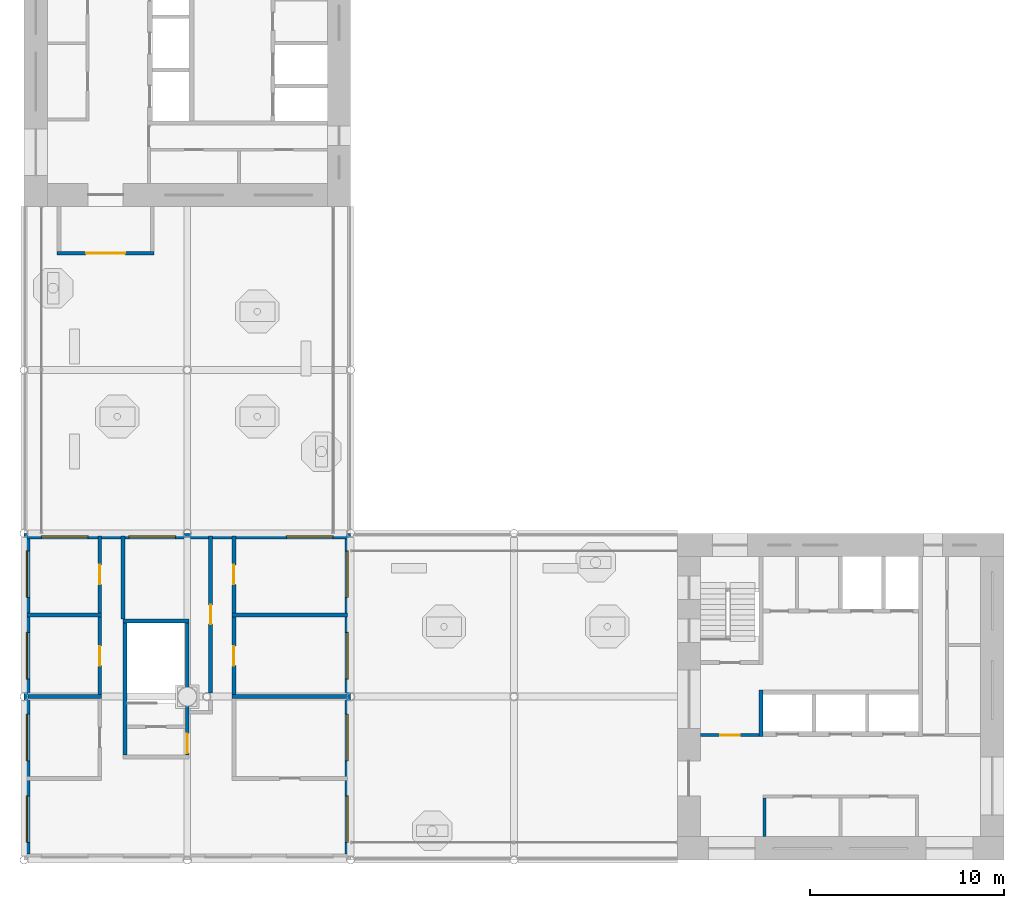
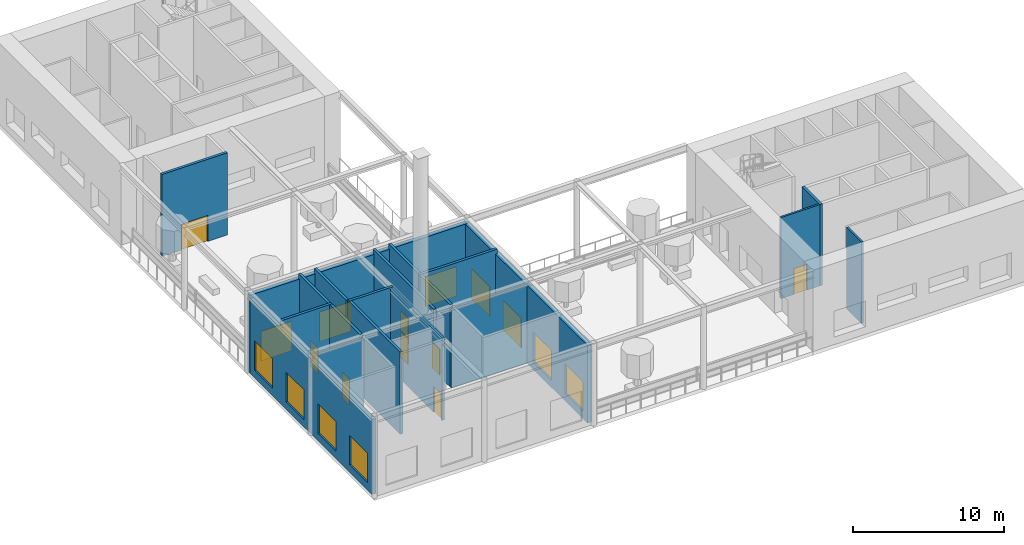
# One storey, part 8 of 15: 20 walls, 11 windows, 8 doors, 19 openings.
"""IFC4 building model written with IfcOpenShell, lengths in metres."""

import ifcopenshell
import ifcopenshell.guid

model = None  # the IFC model being written
_history = None  # IfcOwnerHistory: only IFC2X3 demands one
_inside = {}  # id of a spatial element -> (the spatial element, [elements in it])
_under = {}  # id of a project, library or spatial element -> (it, [spatial elements below it])
_declared = {}  # id of a project -> (the project, [libraries it declares])
_typed = {}  # id of a type object -> (the type object, [elements of that type])
_made_of = {}  # id of a material, layer set ... -> (it, [elements and type objects made of it])


def new_model(schema):
    """Start an empty IFC model of exactly this schema.

    Asked for "IFC4X3", IfcOpenShell would pick the latest addendum, in which some entities
    have other attributes; the version numbers below select the first issue.
    IFC2X3 requires an IfcOwnerHistory on every rooted entity: one is made here for all.
    """
    global model, _history
    if schema == "IFC4X3":
        model = ifcopenshell.file(schema_version=(4, 3, 0, 0))
    else:
        model = ifcopenshell.file(schema=schema)
    _inside.clear()
    _under.clear()
    _declared.clear()
    _typed.clear()
    _made_of.clear()
    _history = None
    if model.schema == "IFC2X3":
        org = make("IfcOrganization", Name="unknown")
        user = make(
            "IfcPersonAndOrganization",
            ThePerson=make("IfcPerson", FamilyName="unknown"),
            TheOrganization=org,
        )
        app = make(
            "IfcApplication",
            ApplicationDeveloper=org,
            Version="unknown",
            ApplicationFullName="unknown",
            ApplicationIdentifier="unknown",
        )
        _history = make(
            "IfcOwnerHistory",
            OwningUser=user,
            OwningApplication=app,
            ChangeAction="ADDED",
            CreationDate=0,
        )
    return model


def make(cls, **values):
    """One entity of the class cls with the attributes given. An attribute that is None is left unset."""
    return model.create_entity(
        cls, **{name: value for name, value in values.items() if value is not None}
    )


def rooted(cls, **values):
    """An entity with a GlobalId (a new one), such as an element, a storey or a relation."""
    return make(cls, GlobalId=ifcopenshell.guid.new(), OwnerHistory=_history, **values)


def si_unit(unit_type, name, prefix=None):
    """IfcSIUnit, for example si_unit("LENGTHUNIT", "METRE", prefix="MILLI")."""
    return make("IfcSIUnit", UnitType=unit_type, Prefix=prefix, Name=name)


def assignment(units):
    """IfcUnitAssignment: the units of a project."""
    return None if units is None else make("IfcUnitAssignment", Units=units)


def point(xyz):
    """IfcCartesianPoint."""
    return None if xyz is None else make("IfcCartesianPoint", Coordinates=xyz)


def direction(xyz):
    """IfcDirection."""
    return None if xyz is None else make("IfcDirection", DirectionRatios=xyz)


def frame(location, z_axis=None, x_axis=None):
    """IfcAxis2Placement3D, a coordinate frame: its origin and axes. An axis left out is left unset."""
    return make(
        "IfcAxis2Placement3D",
        Location=point(location),
        Axis=direction(z_axis),
        RefDirection=direction(x_axis),
    )


def frame_2d(location, x_axis=None):
    """IfcAxis2Placement2D, a coordinate frame in the plane: its origin and x axis."""
    return make(
        "IfcAxis2Placement2D", Location=point(location), RefDirection=direction(x_axis)
    )


def origin():
    """The frame at (0, 0, 0) with its axes left unset."""
    return frame((0.0, 0.0, 0.0))


def place(relative_to, where):
    """IfcLocalPlacement: puts the frame where relative to a parent placement (None: the world)."""
    return make(
        "IfcLocalPlacement", PlacementRelTo=relative_to, RelativePlacement=where
    )


def context(
    kind, dimensions, precision=None, world=None, true_north=None, identifier=None
):
    """IfcGeometricRepresentationContext, for example the 3D "Model" context."""
    return make(
        "IfcGeometricRepresentationContext",
        ContextIdentifier=identifier,
        ContextType=kind,
        CoordinateSpaceDimension=dimensions,
        Precision=precision,
        WorldCoordinateSystem=world,
        TrueNorth=true_north,
    )


def subcontext(parent, identifier, kind, view, scale=None):
    """IfcGeometricRepresentationSubContext, for example "Body" below "Model"."""
    return make(
        "IfcGeometricRepresentationSubContext",
        ContextIdentifier=identifier,
        ContextType=kind,
        ParentContext=parent,
        TargetScale=scale,
        TargetView=view,
    )


def project(units=None, contexts=None):
    """IfcProject with its units and contexts."""
    return rooted(
        "IfcProject",
        Name="project",
        RepresentationContexts=contexts,
        UnitsInContext=assignment(units),
    )


def spatial(cls, under=None, at=None, **own):
    """A site, building, storey or space (cls), placed at a placement, below another one or the project."""
    s = rooted(cls, ObjectPlacement=at, **own)
    if under is not None:
        _under.setdefault(under.id(), (under, []))[1].append(s)
    return s


def profile(cls, at=None, kind="AREA", **sizes):
    """A parametric profile (cls). Its sizes go by their IFC names, for example OverallWidth=200.0."""
    return make(cls, ProfileType=kind, Position=at, **sizes)


def rectangle(**sizes):
    """IfcRectangleProfileDef."""
    return profile("IfcRectangleProfileDef", **sizes)


def extrude(swept, where, along, depth):
    """IfcExtrudedAreaSolid: the profile swept, set in the frame where, extruded along a direction by depth."""
    return make(
        "IfcExtrudedAreaSolid",
        SweptArea=swept,
        Position=where,
        ExtrudedDirection=direction(along),
        Depth=depth,
    )


def shape(context_of_items, identifier, shape_type, items):
    """IfcShapeRepresentation: the items that make up one representation, for example the "Body"."""
    return make(
        "IfcShapeRepresentation",
        ContextOfItems=context_of_items,
        RepresentationIdentifier=identifier,
        RepresentationType=shape_type,
        Items=items,
    )


def material(Name=None, Category=None):
    """IfcMaterial."""
    return make("IfcMaterial", Name=Name, Category=Category)


def layer(
    of_material, thickness, ventilated=None, Name=None, Category=None, Priority=None
):
    """IfcMaterialLayer: one layer of a wall or slab, of a material (None: an air gap)."""
    return make(
        "IfcMaterialLayer",
        Material=of_material,
        LayerThickness=thickness,
        IsVentilated=ventilated,
        Name=Name,
        Category=Category,
        Priority=Priority,
    )


def layer_set(layers, Name=None):
    """IfcMaterialLayerSet."""
    return make("IfcMaterialLayerSet", MaterialLayers=layers, LayerSetName=Name)


def made_of(thing, what):
    """Note that an element or type object is made of a material, layer set ...; save() writes the relation."""
    if what is not None:
        _made_of.setdefault(what.id(), (what, []))[1].append(thing)
    return thing


def type_object(cls, material=None, **own):
    """A type object (cls), such as IfcWallType, which elements share."""
    return made_of(rooted(cls, **own), material)


def element(
    cls,
    number,
    at=None,
    inside=None,
    cuts=None,
    type_object=None,
    material=None,
    context=None,
    identifier="Body",
    shape_type=None,
    held_by="IfcProductDefinitionShape",
    body=None,
    shapes=None,
    **own,
):
    """One element of the class cls, such as IfcWall. Its Tag is "e" and its number.

    at: its placement. inside: the storey or other place that contains it. cuts: it is an
    opening in that element (IfcRelVoidsElement). A single representation is given by context,
    identifier, shape_type and body (its items); several are given by shapes. held_by: the class
    of the entity that holds the representations. save() writes the other relations.
    """
    e = rooted(cls, Tag="e%d" % number, ObjectPlacement=at, **own)
    if body is not None:
        shapes = [shape(context, identifier, shape_type, body)]
    if shapes is not None:
        e.Representation = make(held_by, Representations=shapes)
    if inside is not None:
        _inside.setdefault(inside.id(), (inside, []))[1].append(e)
    if cuts is not None:
        rooted(
            "IfcRelVoidsElement", RelatingBuildingElement=cuts, RelatedOpeningElement=e
        )
    if type_object is not None:
        _typed.setdefault(type_object.id(), (type_object, []))[1].append(e)
    return made_of(e, material)


def fill(opening, filler):
    """IfcRelFillsElement: the door or window that sits in an opening."""
    return rooted(
        "IfcRelFillsElement",
        RelatingOpeningElement=opening,
        RelatedBuildingElement=filler,
    )


def aggregate(whole, parts):
    """IfcRelAggregates: a whole, such as a stair, and the parts it consists of."""
    return rooted("IfcRelAggregates", RelatingObject=whole, RelatedObjects=parts)


def save(model, path):
    """Write the relations noted so far, then the file.

    IfcRelAggregates (storeys below a building ...), IfcRelContainedInSpatialStructure (elements
    in a storey), IfcRelDefinesByType, IfcRelAssociatesMaterial and IfcRelDeclares: one each for
    every whole, place, type object, material and project.
    """
    for whole, parts in _under.values():
        aggregate(whole, parts)
    for where, things in _inside.values():
        rooted(
            "IfcRelContainedInSpatialStructure",
            RelatedElements=things,
            RelatingStructure=where,
        )
    for kind, things in _typed.values():
        rooted("IfcRelDefinesByType", RelatedObjects=things, RelatingType=kind)
    for what, things in _made_of.values():
        rooted("IfcRelAssociatesMaterial", RelatedObjects=things, RelatingMaterial=what)
    for by, libraries in _declared.values():
        rooted("IfcRelDeclares", RelatingContext=by, RelatedDefinitions=libraries)
    model.write(path)


model = new_model("IFC4")

# Units and contexts
model_context = context("Model", 3, precision=1e-05, world=origin(), true_north=direction((0.0, 1.0)))
body_context = subcontext(model_context, "Body", "Model", "MODEL_VIEW")
ifc_project = project(units=[si_unit("LENGTHUNIT", "METRE"), si_unit("AREAUNIT", "SQUARE_METRE"), si_unit("VOLUMEUNIT", "CUBIC_METRE"), si_unit("PLANEANGLEUNIT", "RADIAN"), si_unit("MASSUNIT", "GRAM", prefix="KILO")], contexts=[model_context])

# Site, building, storey
site_placement = place(None, origin())
site = spatial("IfcSite", under=ifc_project, at=site_placement, CompositionType="ELEMENT")
building_placement = place(site_placement, origin())
building = spatial("IfcBuilding", under=site, at=building_placement, Name="Vermilion Gate Residences", CompositionType="ELEMENT")
storey_placement = place(building_placement, frame((0.0, 0.0, 277.199951171875)))
storey = spatial("IfcBuildingStorey", under=building, at=storey_placement, Name="L73", CompositionType="ELEMENT", Elevation=277.199951171875)

# Wall
ifc_material_1 = material(Name="Masonry blockwork", Category="masonry")
ifc_layer_1 = layer(ifc_material_1, 0.14990234375)
ifc_layer_set_1 = layer_set([ifc_layer_1], Name="BLOCKWORK PARTITION 150 EI 120")
wall_type_1 = type_object("IfcWallType", Name="BLOCKWORK PARTITION 150 EI 120", PredefinedType="PARTITIONING", material=ifc_layer_set_1)
wall_1_placement = place(storey_placement, frame((46.47509765625, 9.60009765625, 0.0), z_axis=(0.0, 0.0, 1.0), x_axis=(0.0, 1.0, 0.0)))
element("IfcWall", 1, at=wall_1_placement, inside=storey, type_object=wall_type_1, Name="Core room partition A73-RW-W", PredefinedType="PARTITIONING", context=body_context, shape_type="SweptSolid", body=[
    extrude(rectangle(XDim=2.0, YDim=0.14990234375, at=frame_2d((1.0, 0.0))), origin(), (0.0, 0.0, 1.0), 6.580078125),
])

# Wall, opening, door
wall_2_placement = place(storey_placement, frame((43.199951171875, 14.824951171875, 0.0), z_axis=(0.0, 0.0, 1.0), x_axis=(1.0, 0.0, 0.0)))
wall_2 = element("IfcWall", 2, at=wall_2_placement, inside=storey, type_object=wall_type_1, Name="Core room partition A73-VW-S", PredefinedType="PARTITIONING", context=body_context, shape_type="SweptSolid", body=[
    extrude(rectangle(XDim=3.0, YDim=0.14990234375, at=frame_2d((1.5, 0.0))), origin(), (0.0, 0.0, 1.0), 6.580078125),
])
opening_1_placement = place(wall_2_placement, frame((1.0, 0.0, 0.0)))
opening_1 = element("IfcOpeningElement", 3, at=opening_1_placement, cuts=wall_2, Name="Opening DK73011", PredefinedType="OPENING", context=body_context, shape_type="SweptSolid", body=[
    extrude(rectangle(XDim=1.0, YDim=2.10009765625, at=frame_2d((0.5, 1.050048828125))), frame((0.0, 0.0849609375, 0.0), z_axis=(0.0, -1.0, 0.0), x_axis=(1.0, 0.0, 0.0)), (0.0, 0.0, 1.0), 0.169921875),
])
ifc_material_2 = material(Name="Steel", Category="steel")
door_type_1 = type_object("IfcDoorType", Name="FIRE DOOR FD60 1000 X 2100", OperationType="SINGLE_SWING_LEFT", PredefinedType="DOOR", material=ifc_material_2)
door_1_placement = place(opening_1_placement, frame((1.0, 0.0, 0.0), z_axis=(0.0, 0.0, 1.0), x_axis=(-1.0, 0.0, 0.0)))
door_1 = element("IfcDoor", 4, at=door_1_placement, inside=storey, type_object=door_type_1, Name="Stair vestibule door A73", OperationType="SINGLE_SWING_RIGHT", OverallHeight=2.10009765625, OverallWidth=1.0, PredefinedType="DOOR", context=body_context, shape_type="SweptSolid", body=[
    extrude(rectangle(XDim=1.0, YDim=2.10009765625, at=frame_2d((0.5, 1.050048828125))), frame((0.0, 0.02490234375, 0.0), z_axis=(0.0, -1.0, 0.0), x_axis=(1.0, 0.0, 0.0)), (0.0, 0.0, 1.0), 0.050048828125),
])
fill(opening_1, door_1)

# Walls
ifc_material_3 = material(Name="Concrete blockwork", Category="masonry")
ifc_layer_2 = layer(ifc_material_3, 0.199951171875)
ifc_layer_set_2 = layer_set([ifc_layer_2], Name="FIRE WALL 200 EI 120 (AMENITY)")
wall_type_2 = type_object("IfcWallType", Name="FIRE WALL 200 EI 120 (AMENITY)", PredefinedType="PARTITIONING", material=ifc_layer_set_2)
wall_3_placement = place(storey_placement, frame((8.60009765625, 16.800048828125, 0.0), z_axis=(0.0, 0.0, 1.0), x_axis=(1.0, 0.0, 0.0)))
element("IfcWall", 5, at=wall_3_placement, inside=storey, type_object=wall_type_2, Name="Fire-resisting wall 2", PredefinedType="PARTITIONING", context=body_context, shape_type="SweptSolid", body=[
    extrude(rectangle(XDim=3.7998046875, YDim=0.199951171875, at=frame_2d((1.89990234375, 0.0))), origin(), (0.0, 0.0, 1.0), 6.300048828125),
])
wall_4_placement = place(storey_placement, frame((8.550048828125, 21.0, 0.0), z_axis=(0.0, 0.0, 1.0), x_axis=(1.0, 0.0, 0.0)))
element("IfcWall", 6, at=wall_4_placement, inside=storey, type_object=wall_type_2, Name="Fire-resisting wall 3", PredefinedType="PARTITIONING", context=body_context, shape_type="SweptSolid", body=[
    extrude(rectangle(XDim=3.849853515625, YDim=0.199951171875, at=frame_2d((1.9248046875, 0.0))), origin(), (0.0, 0.0, 1.0), 6.650146484375),
])

# Wall, opening, door
wall_5_placement = place(storey_placement, frame((10.10009765625, 39.60009765625, 0.0), z_axis=(0.0, 0.0, 1.0), x_axis=(1.0, 0.0, 0.0)))
wall_5 = element("IfcWall", 7, at=wall_5_placement, inside=storey, type_object=wall_type_2, Name="Fire-resisting wall 5", PredefinedType="PARTITIONING", context=body_context, shape_type="SweptSolid", body=[
    extrude(rectangle(XDim=5.0, YDim=0.199951171875, at=frame_2d((2.5, 0.0))), origin(), (0.0, 0.0, 1.0), 6.650146484375),
])
opening_2_placement = place(wall_5_placement, frame((1.5, 0.0, 0.0)))
opening_2 = element("IfcOpeningElement", 8, at=opening_2_placement, cuts=wall_5, Name="Opening DM73008", PredefinedType="OPENING", context=body_context, shape_type="SweptSolid", body=[
    extrude(rectangle(XDim=2.0, YDim=2.10009765625, at=frame_2d((1.0, 1.050048828125))), frame((0.0, 0.10986328125, 0.0), z_axis=(0.0, -1.0, 0.0), x_axis=(1.0, 0.0, 0.0)), (0.0, 0.0, 1.0), 0.219970703125),
])
ifc_material_4 = material(Name="Steel", Category="steel")
door_type_2 = type_object("IfcDoorType", Name="DOUBLE DOOR 2000 X 2100 FD60 (AMENITY)", OperationType="DOUBLE_DOOR_SINGLE_SWING", PredefinedType="DOOR", material=ifc_material_4)
door_2_placement = place(opening_2_placement, frame((2.0, 0.0, 0.0), z_axis=(0.0, 0.0, 1.0), x_axis=(-1.0, 0.0, 0.0)))
door_2 = element("IfcDoor", 9, at=door_2_placement, inside=storey, type_object=door_type_2, Name="Door L73 8", OperationType="DOUBLE_DOOR_SINGLE_SWING", OverallHeight=2.10009765625, OverallWidth=2.0, PredefinedType="DOOR", context=body_context, shape_type="SweptSolid", body=[
    extrude(rectangle(XDim=2.0, YDim=2.10009765625, at=frame_2d((1.0, 1.050048828125))), frame((0.0, 0.02490234375, 0.0), z_axis=(0.0, -1.0, 0.0), x_axis=(1.0, 0.0, 0.0)), (0.0, 0.0, 1.0), 0.050048828125),
])
fill(opening_2, door_2)

wall_6_placement = place(storey_placement, frame((12.300048828125, 16.89990234375, 0.0), z_axis=(0.0, 0.0, 1.0), x_axis=(0.0, 1.0, 0.0)))
wall_6 = element("IfcWall", 10, at=wall_6_placement, inside=storey, type_object=wall_type_2, Name="Fire-resisting wall 7", PredefinedType="PARTITIONING", context=body_context, shape_type="SweptSolid", body=[
    extrude(rectangle(XDim=4.0, YDim=0.199951171875, at=frame_2d((2.0, 0.0))), origin(), (0.0, 0.0, 1.0), 6.650146484375),
])
opening_3_placement = place(wall_6_placement, frame((1.5, 0.0, 0.0)))
opening_3 = element("IfcOpeningElement", 11, at=opening_3_placement, cuts=wall_6, Name="Opening DM73002", PredefinedType="OPENING", context=body_context, shape_type="SweptSolid", body=[
    extrude(rectangle(XDim=1.0, YDim=2.10009765625, at=frame_2d((0.5, 1.050048828125))), frame((0.0, 0.10986328125, 0.0), z_axis=(0.0, -1.0, 0.0), x_axis=(1.0, 0.0, 0.0)), (0.0, 0.0, 1.0), 0.219970703125),
])
ifc_material_5 = material(Name="Steel", Category="steel")
door_type_3 = type_object("IfcDoorType", Name="DOOR 1000 X 2100 FD60 (AMENITY)", OperationType="SINGLE_SWING_LEFT", PredefinedType="DOOR", material=ifc_material_5)
door_3_placement = place(opening_3_placement, origin())
door_3 = element("IfcDoor", 12, at=door_3_placement, inside=storey, type_object=door_type_3, Name="Door L73 2", OperationType="SINGLE_SWING_LEFT", OverallHeight=2.10009765625, OverallWidth=1.0, PredefinedType="DOOR", context=body_context, shape_type="SweptSolid", body=[
    extrude(rectangle(XDim=1.0, YDim=2.10009765625, at=frame_2d((0.5, 1.050048828125))), frame((0.0, 0.02490234375, 0.0), z_axis=(0.0, -1.0, 0.0), x_axis=(1.0, 0.0, 0.0)), (0.0, 0.0, 1.0), 0.050048828125),
])
fill(opening_3, door_3)

wall_7_placement = place(storey_placement, frame((12.300048828125, 21.10009765625, 0.0), z_axis=(0.0, 0.0, 1.0), x_axis=(0.0, 1.0, 0.0)))
wall_7 = element("IfcWall", 13, at=wall_7_placement, inside=storey, type_object=wall_type_2, Name="Fire-resisting wall 8", PredefinedType="PARTITIONING", context=body_context, shape_type="SweptSolid", body=[
    extrude(rectangle(XDim=3.949951171875, YDim=0.199951171875, at=frame_2d((1.97509765625, 0.0))), origin(), (0.0, 0.0, 1.0), 6.650146484375),
])
opening_4_placement = place(wall_7_placement, frame((1.47509765625, 0.0, 0.0)))
opening_4 = element("IfcOpeningElement", 14, at=opening_4_placement, cuts=wall_7, Name="Opening DM73003", PredefinedType="OPENING", context=body_context, shape_type="SweptSolid", body=[
    extrude(rectangle(XDim=1.0, YDim=2.10009765625, at=frame_2d((0.5, 1.050048828125))), frame((0.0, 0.10986328125, 0.0), z_axis=(0.0, -1.0, 0.0), x_axis=(1.0, 0.0, 0.0)), (0.0, 0.0, 1.0), 0.219970703125),
])
door_4_placement = place(opening_4_placement, origin())
door_4 = element("IfcDoor", 15, at=door_4_placement, inside=storey, type_object=door_type_3, Name="Door L73 3", OperationType="SINGLE_SWING_RIGHT", OverallHeight=2.10009765625, OverallWidth=1.0, PredefinedType="DOOR", context=body_context, shape_type="SweptSolid", body=[
    extrude(rectangle(XDim=1.0, YDim=2.10009765625, at=frame_2d((0.5, 1.050048828125))), frame((0.0, 0.02490234375, 0.0), z_axis=(0.0, -1.0, 0.0), x_axis=(1.0, 0.0, 0.0)), (0.0, 0.0, 1.0), 0.050048828125),
])
fill(opening_4, door_4)

# Wall
wall_8_placement = place(storey_placement, frame((13.5, 20.800048828125, 0.0), z_axis=(0.0, 0.0, 1.0), x_axis=(0.0, 1.0, 0.0)))
element("IfcWall", 16, at=wall_8_placement, inside=storey, type_object=wall_type_2, Name="Fire-resisting wall 9", PredefinedType="PARTITIONING", context=body_context, shape_type="SweptSolid", body=[
    extrude(rectangle(XDim=4.25, YDim=0.199951171875, at=frame_2d((2.125, 0.0))), origin(), (0.0, 0.0, 1.0), 6.650146484375),
])

# Wall, opening, door
wall_9_placement = place(storey_placement, frame((18.0, 17.0, 0.0), z_axis=(0.0, 0.0, 1.0), x_axis=(0.0, 1.0, 0.0)))
wall_9 = element("IfcWall", 17, at=wall_9_placement, inside=storey, type_object=wall_type_2, Name="Fire-resisting wall 13", PredefinedType="PARTITIONING", context=body_context, shape_type="SweptSolid", body=[
    extrude(rectangle(XDim=8.050048828125, YDim=0.199951171875, at=frame_2d((4.02490234375, 0.0))), origin(), (0.0, 0.0, 1.0), 6.650146484375),
])
opening_5_placement = place(wall_9_placement, frame((3.52490234375, 0.0, 0.0)))
opening_5 = element("IfcOpeningElement", 18, at=opening_5_placement, cuts=wall_9, Name="Opening DM73007", PredefinedType="OPENING", context=body_context, shape_type="SweptSolid", body=[
    extrude(rectangle(XDim=1.0, YDim=2.10009765625, at=frame_2d((0.5, 1.050048828125))), frame((0.0, 0.10986328125, 0.0), z_axis=(0.0, -1.0, 0.0), x_axis=(1.0, 0.0, 0.0)), (0.0, 0.0, 1.0), 0.219970703125),
])
door_5_placement = place(opening_5_placement, origin())
door_5 = element("IfcDoor", 19, at=door_5_placement, inside=storey, type_object=door_type_3, Name="Door L73 7", OperationType="SINGLE_SWING_LEFT", OverallHeight=2.10009765625, OverallWidth=1.0, PredefinedType="DOOR", context=body_context, shape_type="SweptSolid", body=[
    extrude(rectangle(XDim=1.0, YDim=2.10009765625, at=frame_2d((0.5, 1.050048828125))), frame((0.0, 0.02490234375, 0.0), z_axis=(0.0, -1.0, 0.0), x_axis=(1.0, 0.0, 0.0)), (0.0, 0.0, 1.0), 0.050048828125),
])
fill(opening_5, door_5)

wall_10_placement = place(storey_placement, frame((19.199951171875, 16.89990234375, 0.0), z_axis=(0.0, 0.0, 1.0), x_axis=(0.0, 1.0, 0.0)))
wall_10 = element("IfcWall", 20, at=wall_10_placement, inside=storey, type_object=wall_type_2, Name="Fire-resisting wall 16", PredefinedType="PARTITIONING", context=body_context, shape_type="SweptSolid", body=[
    extrude(rectangle(XDim=4.0, YDim=0.199951171875, at=frame_2d((2.0, 0.0))), origin(), (0.0, 0.0, 1.0), 6.650146484375),
])
opening_6_placement = place(wall_10_placement, frame((1.5, 0.0, 0.0)))
opening_6 = element("IfcOpeningElement", 21, at=opening_6_placement, cuts=wall_10, Name="Opening DM73005", PredefinedType="OPENING", context=body_context, shape_type="SweptSolid", body=[
    extrude(rectangle(XDim=1.0, YDim=2.10009765625, at=frame_2d((0.5, 1.050048828125))), frame((0.0, 0.10986328125, 0.0), z_axis=(0.0, -1.0, 0.0), x_axis=(1.0, 0.0, 0.0)), (0.0, 0.0, 1.0), 0.219970703125),
])
door_6_placement = place(opening_6_placement, frame((1.0, 0.0, 0.0), z_axis=(0.0, 0.0, 1.0), x_axis=(-1.0, 0.0, 0.0)))
door_6 = element("IfcDoor", 22, at=door_6_placement, inside=storey, type_object=door_type_3, Name="Door L73 5", OperationType="SINGLE_SWING_RIGHT", OverallHeight=2.10009765625, OverallWidth=1.0, PredefinedType="DOOR", context=body_context, shape_type="SweptSolid", body=[
    extrude(rectangle(XDim=1.0, YDim=2.10009765625, at=frame_2d((0.5, 1.050048828125))), frame((0.0, 0.02490234375, 0.0), z_axis=(0.0, -1.0, 0.0), x_axis=(1.0, 0.0, 0.0)), (0.0, 0.0, 1.0), 0.050048828125),
])
fill(opening_6, door_6)

# Wall
wall_11_placement = place(storey_placement, frame((19.10009765625, 16.800048828125, 0.0), z_axis=(0.0, 0.0, 1.0), x_axis=(1.0, 0.0, 0.0)))
element("IfcWall", 23, at=wall_11_placement, inside=storey, type_object=wall_type_2, Name="Fire-resisting wall 17", PredefinedType="PARTITIONING", context=body_context, shape_type="SweptSolid", body=[
    extrude(rectangle(XDim=5.89990234375, YDim=0.199951171875, at=frame_2d((2.949951171875, 0.0))), origin(), (0.0, 0.0, 1.0), 6.300048828125),
])

# Wall, opening, door
wall_12_placement = place(storey_placement, frame((19.199951171875, 21.10009765625, 0.0), z_axis=(0.0, 0.0, 1.0), x_axis=(0.0, 1.0, 0.0)))
wall_12 = element("IfcWall", 24, at=wall_12_placement, inside=storey, type_object=wall_type_2, Name="Fire-resisting wall 18", PredefinedType="PARTITIONING", context=body_context, shape_type="SweptSolid", body=[
    extrude(rectangle(XDim=3.949951171875, YDim=0.199951171875, at=frame_2d((1.97509765625, 0.0))), origin(), (0.0, 0.0, 1.0), 6.650146484375),
])
opening_7_placement = place(wall_12_placement, frame((1.47509765625, 0.0, 0.0)))
opening_7 = element("IfcOpeningElement", 25, at=opening_7_placement, cuts=wall_12, Name="Opening DM73006", PredefinedType="OPENING", context=body_context, shape_type="SweptSolid", body=[
    extrude(rectangle(XDim=1.0, YDim=2.10009765625, at=frame_2d((0.5, 1.050048828125))), frame((0.0, 0.10986328125, 0.0), z_axis=(0.0, -1.0, 0.0), x_axis=(1.0, 0.0, 0.0)), (0.0, 0.0, 1.0), 0.219970703125),
])
door_7_placement = place(opening_7_placement, frame((1.0, 0.0, 0.0), z_axis=(0.0, 0.0, 1.0), x_axis=(-1.0, 0.0, 0.0)))
door_7 = element("IfcDoor", 26, at=door_7_placement, inside=storey, type_object=door_type_3, Name="Door L73 6", OperationType="SINGLE_SWING_LEFT", OverallHeight=2.10009765625, OverallWidth=1.0, PredefinedType="DOOR", context=body_context, shape_type="SweptSolid", body=[
    extrude(rectangle(XDim=1.0, YDim=2.10009765625, at=frame_2d((0.5, 1.050048828125))), frame((0.0, 0.02490234375, 0.0), z_axis=(0.0, -1.0, 0.0), x_axis=(1.0, 0.0, 0.0)), (0.0, 0.0, 1.0), 0.050048828125),
])
fill(opening_7, door_7)

# Wall
wall_13_placement = place(storey_placement, frame((19.10009765625, 21.0, 0.0), z_axis=(0.0, 0.0, 1.0), x_axis=(1.0, 0.0, 0.0)))
element("IfcWall", 27, at=wall_13_placement, inside=storey, type_object=wall_type_2, Name="Fire-resisting wall 19", PredefinedType="PARTITIONING", context=body_context, shape_type="SweptSolid", body=[
    extrude(rectangle(XDim=5.949951171875, YDim=0.199951171875, at=frame_2d((2.97509765625, 0.0))), origin(), (0.0, 0.0, 1.0), 6.650146484375),
])

# Wall, openings, windows
ifc_material_6 = material(Name="Insulated steel stud wall with terracotta cladding", Category="masonry")
ifc_layer_3 = layer(ifc_material_6, 0.300048828125)
ifc_layer_set_3 = layer_set([ifc_layer_3], Name="PLANT BLOCK WALL 300 TERRACOTTA CLADDING")
wall_type_3 = type_object("IfcWallType", Name="PLANT BLOCK WALL 300 TERRACOTTA CLADDING", PredefinedType="SOLIDWALL", material=ifc_layer_set_3)
wall_14_placement = place(storey_placement, frame((25.050048828125, 8.699951171875, 0.0), z_axis=(0.0, 0.0, 1.0), x_axis=(0.0, 1.0, 0.0)))
wall_14 = element("IfcWall", 28, at=wall_14_placement, inside=storey, type_object=wall_type_3, Name="Plant block wall", PredefinedType="SOLIDWALL", context=body_context, shape_type="SweptSolid", body=[
    extrude(rectangle(XDim=16.199951171875, YDim=0.300048828125, at=frame_2d((8.10009765625, 0.0))), origin(), (0.0, 0.0, 1.0), 6.300048828125),
])
opening_8_placement = place(wall_14_placement, frame((0.60009765625, 0.0, 0.60009765625)))
opening_8 = element("IfcOpeningElement", 29, at=opening_8_placement, cuts=wall_14, Name="Opening WE73001", PredefinedType="OPENING", context=body_context, shape_type="SweptSolid", body=[
    extrude(rectangle(XDim=2.39990234375, YDim=2.39990234375, at=frame_2d((1.199951171875, 1.199951171875))), frame((0.0, 0.159912109375, 0.0), z_axis=(0.0, -1.0, 0.0), x_axis=(1.0, 0.0, 0.0)), (0.0, 0.0, 1.0), 0.320068359375),
])
opening_9_placement = place(wall_14_placement, frame((4.800048828125, 0.0, 0.60009765625)))
opening_9 = element("IfcOpeningElement", 30, at=opening_9_placement, cuts=wall_14, Name="Opening WE73002", PredefinedType="OPENING", context=body_context, shape_type="SweptSolid", body=[
    extrude(rectangle(XDim=2.39990234375, YDim=2.39990234375, at=frame_2d((1.199951171875, 1.199951171875))), frame((0.0, 0.159912109375, 0.0), z_axis=(0.0, -1.0, 0.0), x_axis=(1.0, 0.0, 0.0)), (0.0, 0.0, 1.0), 0.320068359375),
])
opening_10_placement = place(wall_14_placement, frame((9.0, 0.0, 0.60009765625)))
opening_10 = element("IfcOpeningElement", 31, at=opening_10_placement, cuts=wall_14, Name="Opening WE73003", PredefinedType="OPENING", context=body_context, shape_type="SweptSolid", body=[
    extrude(rectangle(XDim=2.39990234375, YDim=2.39990234375, at=frame_2d((1.199951171875, 1.199951171875))), frame((0.0, 0.159912109375, 0.0), z_axis=(0.0, -1.0, 0.0), x_axis=(1.0, 0.0, 0.0)), (0.0, 0.0, 1.0), 0.320068359375),
])
opening_11_placement = place(wall_14_placement, frame((13.199951171875, 0.0, 0.60009765625)))
opening_11 = element("IfcOpeningElement", 32, at=opening_11_placement, cuts=wall_14, Name="Opening WE73004", PredefinedType="OPENING", context=body_context, shape_type="SweptSolid", body=[
    extrude(rectangle(XDim=2.39990234375, YDim=2.39990234375, at=frame_2d((1.199951171875, 1.199951171875))), frame((0.0, 0.159912109375, 0.0), z_axis=(0.0, -1.0, 0.0), x_axis=(1.0, 0.0, 0.0)), (0.0, 0.0, 1.0), 0.320068359375),
])
ifc_material_7 = material(Name="Aluminium frame with louvre blades", Category="aluminium")
window_type = type_object("IfcWindowType", Name="PLANT LOUVRE 2400 X 2400", PartitioningType="SINGLE_PANEL", PredefinedType="WINDOW", material=ifc_material_7)
window_1_placement = place(opening_8_placement, origin())
window_1 = element("IfcWindow", 33, at=window_1_placement, inside=storey, type_object=window_type, Name="Plant louvre", OverallHeight=2.39990234375, OverallWidth=2.39990234375, PartitioningType="SINGLE_PANEL", PredefinedType="WINDOW", context=body_context, shape_type="SweptSolid", body=[
    extrude(rectangle(XDim=2.39990234375, YDim=2.39990234375, at=frame_2d((1.199951171875, 1.199951171875))), frame((0.0, 0.030029296875, 0.0), z_axis=(0.0, -1.0, 0.0), x_axis=(1.0, 0.0, 0.0)), (0.0, 0.0, 1.0), 0.06005859375),
])
fill(opening_8, window_1)
window_2_placement = place(opening_9_placement, origin())
window_2 = element("IfcWindow", 34, at=window_2_placement, inside=storey, type_object=window_type, Name="Plant louvre", OverallHeight=2.39990234375, OverallWidth=2.39990234375, PartitioningType="SINGLE_PANEL", PredefinedType="WINDOW", context=body_context, shape_type="SweptSolid", body=[
    extrude(rectangle(XDim=2.39990234375, YDim=2.39990234375, at=frame_2d((1.199951171875, 1.199951171875))), frame((0.0, 0.030029296875, 0.0), z_axis=(0.0, -1.0, 0.0), x_axis=(1.0, 0.0, 0.0)), (0.0, 0.0, 1.0), 0.06005859375),
])
fill(opening_9, window_2)
window_3_placement = place(opening_10_placement, origin())
window_3 = element("IfcWindow", 35, at=window_3_placement, inside=storey, type_object=window_type, Name="Plant louvre", OverallHeight=2.39990234375, OverallWidth=2.39990234375, PartitioningType="SINGLE_PANEL", PredefinedType="WINDOW", context=body_context, shape_type="SweptSolid", body=[
    extrude(rectangle(XDim=2.39990234375, YDim=2.39990234375, at=frame_2d((1.199951171875, 1.199951171875))), frame((0.0, 0.030029296875, 0.0), z_axis=(0.0, -1.0, 0.0), x_axis=(1.0, 0.0, 0.0)), (0.0, 0.0, 1.0), 0.06005859375),
])
fill(opening_10, window_3)
window_4_placement = place(opening_11_placement, origin())
window_4 = element("IfcWindow", 36, at=window_4_placement, inside=storey, type_object=window_type, Name="Plant louvre", OverallHeight=2.39990234375, OverallWidth=2.39990234375, PartitioningType="SINGLE_PANEL", PredefinedType="WINDOW", context=body_context, shape_type="SweptSolid", body=[
    extrude(rectangle(XDim=2.39990234375, YDim=2.39990234375, at=frame_2d((1.199951171875, 1.199951171875))), frame((0.0, 0.030029296875, 0.0), z_axis=(0.0, -1.0, 0.0), x_axis=(1.0, 0.0, 0.0)), (0.0, 0.0, 1.0), 0.06005859375),
])
fill(opening_11, window_4)

wall_15_placement = place(storey_placement, frame((25.199951171875, 25.050048828125, 0.0), z_axis=(0.0, 0.0, 1.0), x_axis=(-1.0, 0.0, 0.0)))
wall_15 = element("IfcWall", 37, at=wall_15_placement, inside=storey, type_object=wall_type_3, Name="Plant block wall", PredefinedType="SOLIDWALL", context=body_context, shape_type="SweptSolid", body=[
    extrude(rectangle(XDim=16.800048828125, YDim=0.300048828125, at=frame_2d((8.39990234375, 0.0))), origin(), (0.0, 0.0, 1.0), 6.300048828125),
])
opening_12_placement = place(wall_15_placement, frame((13.5, 0.0, 0.60009765625)))
opening_12 = element("IfcOpeningElement", 38, at=opening_12_placement, cuts=wall_15, Name="Opening WE73005", PredefinedType="OPENING", context=body_context, shape_type="SweptSolid", body=[
    extrude(rectangle(XDim=2.39990234375, YDim=2.39990234375, at=frame_2d((1.199951171875, 1.199951171875))), frame((0.0, 0.159912109375, 0.0), z_axis=(0.0, -1.0, 0.0), x_axis=(1.0, 0.0, 0.0)), (0.0, 0.0, 1.0), 0.320068359375),
])
opening_13_placement = place(wall_15_placement, frame((9.0, 0.0, 0.60009765625)))
opening_13 = element("IfcOpeningElement", 39, at=opening_13_placement, cuts=wall_15, Name="Opening WE73006", PredefinedType="OPENING", context=body_context, shape_type="SweptSolid", body=[
    extrude(rectangle(XDim=2.39990234375, YDim=2.39990234375, at=frame_2d((1.199951171875, 1.199951171875))), frame((0.0, 0.159912109375, 0.0), z_axis=(0.0, -1.0, 0.0), x_axis=(1.0, 0.0, 0.0)), (0.0, 0.0, 1.0), 0.320068359375),
])
opening_14_placement = place(wall_15_placement, frame((0.89990234375, 0.0, 0.60009765625)))
opening_14 = element("IfcOpeningElement", 40, at=opening_14_placement, cuts=wall_15, Name="Opening WE73007", PredefinedType="OPENING", context=body_context, shape_type="SweptSolid", body=[
    extrude(rectangle(XDim=2.39990234375, YDim=2.39990234375, at=frame_2d((1.199951171875, 1.199951171875))), frame((0.0, 0.159912109375, 0.0), z_axis=(0.0, -1.0, 0.0), x_axis=(1.0, 0.0, 0.0)), (0.0, 0.0, 1.0), 0.320068359375),
])
window_5_placement = place(opening_12_placement, origin())
window_5 = element("IfcWindow", 41, at=window_5_placement, inside=storey, type_object=window_type, Name="Plant louvre", OverallHeight=2.39990234375, OverallWidth=2.39990234375, PartitioningType="SINGLE_PANEL", PredefinedType="WINDOW", context=body_context, shape_type="SweptSolid", body=[
    extrude(rectangle(XDim=2.39990234375, YDim=2.39990234375, at=frame_2d((1.199951171875, 1.199951171875))), frame((0.0, 0.030029296875, 0.0), z_axis=(0.0, -1.0, 0.0), x_axis=(1.0, 0.0, 0.0)), (0.0, 0.0, 1.0), 0.06005859375),
])
fill(opening_12, window_5)
window_6_placement = place(opening_13_placement, origin())
window_6 = element("IfcWindow", 42, at=window_6_placement, inside=storey, type_object=window_type, Name="Plant louvre", OverallHeight=2.39990234375, OverallWidth=2.39990234375, PartitioningType="SINGLE_PANEL", PredefinedType="WINDOW", context=body_context, shape_type="SweptSolid", body=[
    extrude(rectangle(XDim=2.39990234375, YDim=2.39990234375, at=frame_2d((1.199951171875, 1.199951171875))), frame((0.0, 0.030029296875, 0.0), z_axis=(0.0, -1.0, 0.0), x_axis=(1.0, 0.0, 0.0)), (0.0, 0.0, 1.0), 0.06005859375),
])
fill(opening_13, window_6)
window_7_placement = place(opening_14_placement, origin())
window_7 = element("IfcWindow", 43, at=window_7_placement, inside=storey, type_object=window_type, Name="Plant louvre", OverallHeight=2.39990234375, OverallWidth=2.39990234375, PartitioningType="SINGLE_PANEL", PredefinedType="WINDOW", context=body_context, shape_type="SweptSolid", body=[
    extrude(rectangle(XDim=2.39990234375, YDim=2.39990234375, at=frame_2d((1.199951171875, 1.199951171875))), frame((0.0, 0.030029296875, 0.0), z_axis=(0.0, -1.0, 0.0), x_axis=(1.0, 0.0, 0.0)), (0.0, 0.0, 1.0), 0.06005859375),
])
fill(opening_14, window_7)

wall_16_placement = place(storey_placement, frame((8.550048828125, 24.89990234375, 0.0), z_axis=(0.0, 0.0, 1.0), x_axis=(0.0, -1.0, 0.0)))
wall_16 = element("IfcWall", 44, at=wall_16_placement, inside=storey, type_object=wall_type_3, Name="Plant block wall", PredefinedType="SOLIDWALL", context=body_context, shape_type="SweptSolid", body=[
    extrude(rectangle(XDim=16.199951171875, YDim=0.300048828125, at=frame_2d((8.10009765625, 0.0))), origin(), (0.0, 0.0, 1.0), 6.06201171875),
])
opening_15_placement = place(wall_16_placement, frame((13.199951171875, 0.0, 0.60009765625)))
opening_15 = element("IfcOpeningElement", 45, at=opening_15_placement, cuts=wall_16, Name="Opening WE73008", PredefinedType="OPENING", context=body_context, shape_type="SweptSolid", body=[
    extrude(rectangle(XDim=2.39990234375, YDim=2.39990234375, at=frame_2d((1.199951171875, 1.199951171875))), frame((0.0, 0.159912109375, 0.0), z_axis=(0.0, -1.0, 0.0), x_axis=(1.0, 0.0, 0.0)), (0.0, 0.0, 1.0), 0.320068359375),
])
opening_16_placement = place(wall_16_placement, frame((9.0, 0.0, 0.60009765625)))
opening_16 = element("IfcOpeningElement", 46, at=opening_16_placement, cuts=wall_16, Name="Opening WE73009", PredefinedType="OPENING", context=body_context, shape_type="SweptSolid", body=[
    extrude(rectangle(XDim=2.39990234375, YDim=2.39990234375, at=frame_2d((1.199951171875, 1.199951171875))), frame((0.0, 0.159912109375, 0.0), z_axis=(0.0, -1.0, 0.0), x_axis=(1.0, 0.0, 0.0)), (0.0, 0.0, 1.0), 0.320068359375),
])
opening_17_placement = place(wall_16_placement, frame((4.800048828125, 0.0, 0.60009765625)))
opening_17 = element("IfcOpeningElement", 47, at=opening_17_placement, cuts=wall_16, Name="Opening WE73010", PredefinedType="OPENING", context=body_context, shape_type="SweptSolid", body=[
    extrude(rectangle(XDim=2.39990234375, YDim=2.39990234375, at=frame_2d((1.199951171875, 1.199951171875))), frame((0.0, 0.159912109375, 0.0), z_axis=(0.0, -1.0, 0.0), x_axis=(1.0, 0.0, 0.0)), (0.0, 0.0, 1.0), 0.320068359375),
])
opening_18_placement = place(wall_16_placement, frame((0.60009765625, 0.0, 0.60009765625)))
opening_18 = element("IfcOpeningElement", 48, at=opening_18_placement, cuts=wall_16, Name="Opening WE73011", PredefinedType="OPENING", context=body_context, shape_type="SweptSolid", body=[
    extrude(rectangle(XDim=2.39990234375, YDim=2.39990234375, at=frame_2d((1.199951171875, 1.199951171875))), frame((0.0, 0.159912109375, 0.0), z_axis=(0.0, -1.0, 0.0), x_axis=(1.0, 0.0, 0.0)), (0.0, 0.0, 1.0), 0.320068359375),
])
window_8_placement = place(opening_15_placement, origin())
window_8 = element("IfcWindow", 49, at=window_8_placement, inside=storey, type_object=window_type, Name="Plant louvre", OverallHeight=2.39990234375, OverallWidth=2.39990234375, PartitioningType="SINGLE_PANEL", PredefinedType="WINDOW", context=body_context, shape_type="SweptSolid", body=[
    extrude(rectangle(XDim=2.39990234375, YDim=2.39990234375, at=frame_2d((1.199951171875, 1.199951171875))), frame((0.0, 0.030029296875, 0.0), z_axis=(0.0, -1.0, 0.0), x_axis=(1.0, 0.0, 0.0)), (0.0, 0.0, 1.0), 0.06005859375),
])
fill(opening_15, window_8)
window_9_placement = place(opening_16_placement, origin())
window_9 = element("IfcWindow", 50, at=window_9_placement, inside=storey, type_object=window_type, Name="Plant louvre", OverallHeight=2.39990234375, OverallWidth=2.39990234375, PartitioningType="SINGLE_PANEL", PredefinedType="WINDOW", context=body_context, shape_type="SweptSolid", body=[
    extrude(rectangle(XDim=2.39990234375, YDim=2.39990234375, at=frame_2d((1.199951171875, 1.199951171875))), frame((0.0, 0.030029296875, 0.0), z_axis=(0.0, -1.0, 0.0), x_axis=(1.0, 0.0, 0.0)), (0.0, 0.0, 1.0), 0.06005859375),
])
fill(opening_16, window_9)
window_10_placement = place(opening_17_placement, origin())
window_10 = element("IfcWindow", 51, at=window_10_placement, inside=storey, type_object=window_type, Name="Plant louvre", OverallHeight=2.39990234375, OverallWidth=2.39990234375, PartitioningType="SINGLE_PANEL", PredefinedType="WINDOW", context=body_context, shape_type="SweptSolid", body=[
    extrude(rectangle(XDim=2.39990234375, YDim=2.39990234375, at=frame_2d((1.199951171875, 1.199951171875))), frame((0.0, 0.030029296875, 0.0), z_axis=(0.0, -1.0, 0.0), x_axis=(1.0, 0.0, 0.0)), (0.0, 0.0, 1.0), 0.06005859375),
])
fill(opening_17, window_10)
window_11_placement = place(opening_18_placement, origin())
window_11 = element("IfcWindow", 52, at=window_11_placement, inside=storey, type_object=window_type, Name="Plant louvre", OverallHeight=2.39990234375, OverallWidth=2.39990234375, PartitioningType="SINGLE_PANEL", PredefinedType="WINDOW", context=body_context, shape_type="SweptSolid", body=[
    extrude(rectangle(XDim=2.39990234375, YDim=2.39990234375, at=frame_2d((1.199951171875, 1.199951171875))), frame((0.0, 0.030029296875, 0.0), z_axis=(0.0, -1.0, 0.0), x_axis=(1.0, 0.0, 0.0)), (0.0, 0.0, 1.0), 0.06005859375),
])
fill(opening_18, window_11)

# Walls
ifc_material_8 = material(Name="Concrete C60", Category="concrete")
ifc_layer_4 = layer(ifc_material_8, 0.199951171875)
ifc_layer_set_4 = layer_set([ifc_layer_4], Name="RC CORE INTERNAL WALL 200 C60")
wall_type_4 = type_object("IfcWallType", Name="RC CORE INTERNAL WALL 200 C60", PredefinedType="SHEAR", material=ifc_layer_set_4)
wall_17_placement = place(storey_placement, frame((46.300048828125, 14.75, 0.0), z_axis=(0.0, 0.0, 1.0), x_axis=(0.0, 1.0, 0.0)))
element("IfcWall", 53, at=wall_17_placement, inside=storey, type_object=wall_type_4, Name="Core internal wall A73-WDIV1", PredefinedType="SHEAR", context=body_context, shape_type="SweptSolid", body=[
    extrude(rectangle(XDim=2.39990234375, YDim=0.199951171875, at=frame_2d((1.199951171875, 0.0))), origin(), (0.0, 0.0, 1.0), 6.580078125),
])
wall_18_placement = place(storey_placement, frame((13.60009765625, 13.800048828125, 0.0), z_axis=(0.0, 0.0, 1.0), x_axis=(0.0, 1.0, 0.0)))
element("IfcWall", 54, at=wall_18_placement, inside=storey, type_object=wall_type_4, Name="Core internal wall C73-W", PredefinedType="SHEAR", context=body_context, shape_type="SweptSolid", body=[
    extrude(rectangle(XDim=6.800048828125, YDim=0.199951171875, at=frame_2d((3.39990234375, 0.0))), origin(), (0.0, 0.0, 1.0), 6.650146484375),
])

# Wall, opening, door
wall_19_placement = place(storey_placement, frame((16.800048828125, 13.800048828125, 0.0), z_axis=(0.0, 0.0, 1.0), x_axis=(0.0, 1.0, 0.0)))
wall_19 = element("IfcWall", 55, at=wall_19_placement, inside=storey, type_object=wall_type_4, Name="Core internal wall C73-E", PredefinedType="SHEAR", context=body_context, shape_type="SweptSolid", body=[
    extrude(rectangle(XDim=6.800048828125, YDim=0.199951171875, at=frame_2d((3.39990234375, 0.0))), origin(), (0.0, 0.0, 1.0), 6.650146484375),
])
opening_19_placement = place(wall_19_placement, frame((0.10009765625, 0.0, 0.0)))
opening_19 = element("IfcOpeningElement", 56, at=opening_19_placement, cuts=wall_19, Name="Opening DK73201", PredefinedType="OPENING", context=body_context, shape_type="SweptSolid", body=[
    extrude(rectangle(XDim=1.0, YDim=2.10009765625, at=frame_2d((0.5, 1.050048828125))), frame((0.0, 0.10986328125, 0.0), z_axis=(0.0, -1.0, 0.0), x_axis=(1.0, 0.0, 0.0)), (0.0, 0.0, 1.0), 0.219970703125),
])
door_8_placement = place(opening_19_placement, origin())
door_8 = element("IfcDoor", 57, at=door_8_placement, inside=storey, type_object=door_type_1, Name="Stair vestibule door C73", OperationType="SINGLE_SWING_LEFT", OverallHeight=2.10009765625, OverallWidth=1.0, PredefinedType="DOOR", context=body_context, shape_type="SweptSolid", body=[
    extrude(rectangle(XDim=1.0, YDim=2.10009765625, at=frame_2d((0.5, 1.050048828125))), frame((0.0, 0.02490234375, 0.0), z_axis=(0.0, -1.0, 0.0), x_axis=(1.0, 0.0, 0.0)), (0.0, 0.0, 1.0), 0.050048828125),
])
fill(opening_19, door_8)

# Wall
wall_20_placement = place(storey_placement, frame((13.5, 20.699951171875, 0.0), z_axis=(0.0, 0.0, 1.0), x_axis=(1.0, 0.0, 0.0)))
element("IfcWall", 58, at=wall_20_placement, inside=storey, type_object=wall_type_4, Name="Core internal wall C73-N", PredefinedType="SHEAR", context=body_context, shape_type="SweptSolid", body=[
    extrude(rectangle(XDim=3.39990234375, YDim=0.199951171875, at=frame_2d((1.699951171875, 0.0))), origin(), (0.0, 0.0, 1.0), 6.650146484375),
])

save(model, "model.ifc")
